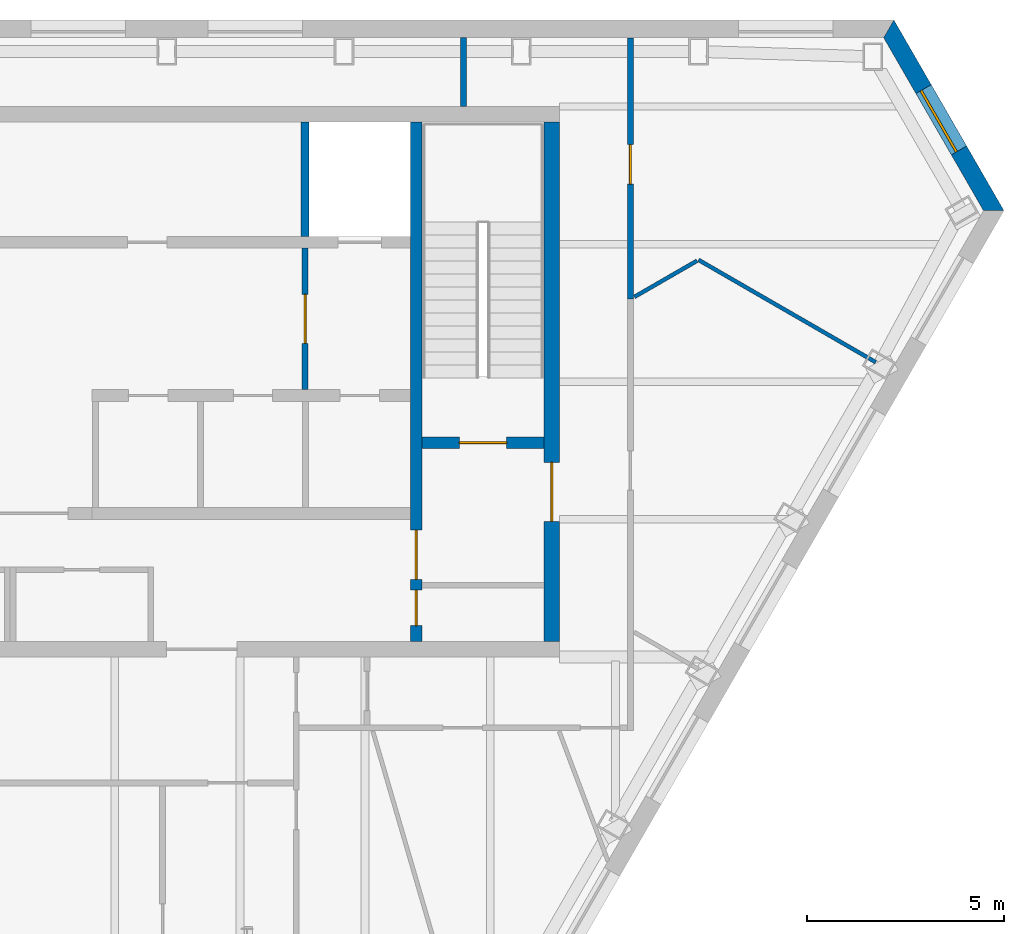
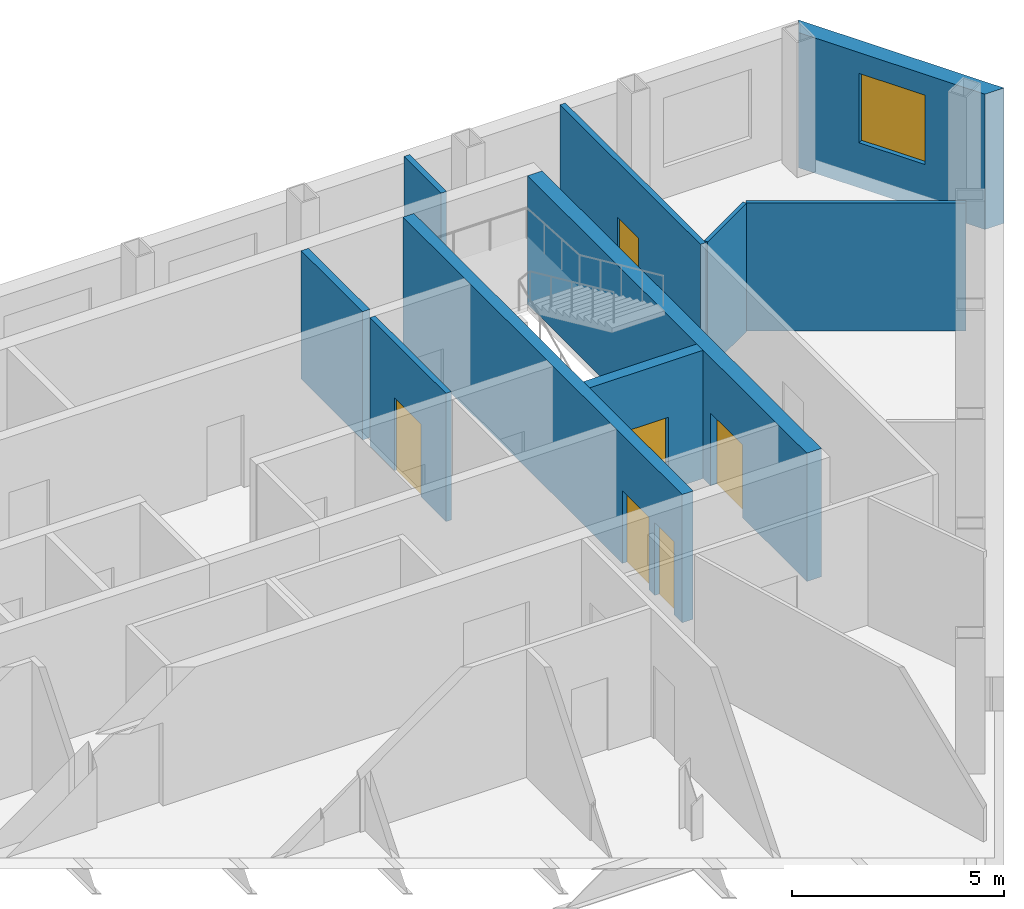
# One storey, part 7 of 10: 10 walls, 6 doors, 1 window, 7 openings.
"""IFC4 building model written with IfcOpenShell, lengths in metres."""

from ifc_helpers import new_model, si_unit, direction, frame, frame_2d, origin, place, context, subcontext, project, spatial, polyline, rectangle, outline, extrude, material, layer, layer_set, type_object, element, fill, save


model = new_model("IFC4")

# Units and contexts
model_context = context("Model", 3, precision=1e-05, world=origin(), true_north=direction((0.0, 1.0)))
body_context = subcontext(model_context, "Body", "Model", "MODEL_VIEW")
ifc_project = project(units=[si_unit("LENGTHUNIT", "METRE"), si_unit("AREAUNIT", "SQUARE_METRE"), si_unit("VOLUMEUNIT", "CUBIC_METRE"), si_unit("PLANEANGLEUNIT", "RADIAN"), si_unit("MASSUNIT", "GRAM", prefix="KILO")], contexts=[model_context])

# Site, building, storey
site_placement = place(None, origin())
site = spatial("IfcSite", under=ifc_project, at=site_placement, CompositionType="ELEMENT")
building_placement = place(site_placement, origin())
building = spatial("IfcBuilding", under=site, at=building_placement, Name="Njiva Tower", CompositionType="ELEMENT")
storey_placement = place(building_placement, frame((0.0, 0.0, 268.8)))
storey = spatial("IfcBuildingStorey", under=building, at=storey_placement, Name="L61", CompositionType="ELEMENT", Elevation=268.8)

# Wall, openings, doors
ifc_material_1 = material(Name="Concrete C40/50", Category="concrete")
ifc_layer_1 = layer(ifc_material_1, 0.3)
ifc_layer_set_1 = layer_set([ifc_layer_1], Name="Concrete C40/50")
wall_type_1 = type_object("IfcWallType", Name="WT10 Stair enclosure wall 300", PredefinedType="SHEAR", material=ifc_layer_set_1)
wall_1_placement = place(storey_placement, frame((10.85, 4.4, 0.0), z_axis=(0.0, 0.0, 1.0), x_axis=(0.0, 1.0, 0.0)))
wall_1 = element("IfcWall", 1, at=wall_1_placement, inside=storey, type_object=wall_type_1, Name="Stair wall east inner", PredefinedType="SHEAR", context=body_context, shape_type="SweptSolid", body=[
    extrude(rectangle(XDim=13.2, YDim=0.3, at=frame_2d((6.6, 0.0))), origin(), (0.0, 0.0, 1.0), 3.7),
])
opening_1_placement = place(wall_1_placement, frame((1.575, 0.0, 0.0)))
opening_1 = element("IfcOpeningElement", 2, at=opening_1_placement, cuts=wall_1, Name="Opening S20-D921", PredefinedType="OPENING", context=body_context, shape_type="SweptSolid", body=[
    extrude(rectangle(XDim=1.25, YDim=2.1, at=frame_2d((0.625, 1.05))), frame((0.0, 0.16, 0.0), z_axis=(0.0, -1.0, 0.0), x_axis=(1.0, 0.0, 0.0)), (0.0, 0.0, 1.0), 0.32),
])
opening_2_placement = place(wall_1_placement, frame((0.4, 0.0, 0.0)))
opening_2 = element("IfcOpeningElement", 3, at=opening_2_placement, cuts=wall_1, Name="Opening S20-D923", PredefinedType="OPENING", context=body_context, shape_type="SweptSolid", body=[
    extrude(rectangle(XDim=0.9, YDim=2.1, at=frame_2d((0.45, 1.05))), frame((0.0, 0.16, 0.0), z_axis=(0.0, -1.0, 0.0), x_axis=(1.0, 0.0, 0.0)), (0.0, 0.0, 1.0), 0.32),
])
ifc_material_2 = material(Name="Steel door, painted", Category="steel")
door_type_1 = type_object("IfcDoorType", Name="D13 Steel door 900x2100", OperationType="SINGLE_SWING_LEFT", PredefinedType="DOOR", material=ifc_material_2)
door_1_placement = place(opening_2_placement, origin())
door_1 = element("IfcDoor", 4, at=door_1_placement, inside=storey, type_object=door_type_1, Name="Breakout room door", OperationType="SINGLE_SWING_LEFT", OverallHeight=2.1, OverallWidth=0.9, PredefinedType="DOOR", context=body_context, shape_type="SweptSolid", body=[
    extrude(rectangle(XDim=0.9, YDim=2.1, at=frame_2d((0.45, 1.05))), frame((0.0, 0.025, 0.0), z_axis=(0.0, -1.0, 0.0), x_axis=(1.0, 0.0, 0.0)), (0.0, 0.0, 1.0), 0.05),
])
fill(opening_2, door_1)
ifc_material_3 = material(Name="Glazed steel fire door", Category="steel")
door_type_2 = type_object("IfcDoorType", Name="D8 Vestibule corridor door 1250x2100 glazed", OperationType="SINGLE_SWING_LEFT", PredefinedType="DOOR", material=ifc_material_3)
door_2_placement = place(opening_1_placement, origin())
door_2 = element("IfcDoor", 5, at=door_2_placement, inside=storey, type_object=door_type_2, Name="Stair vestibule corridor door", OperationType="SINGLE_SWING_RIGHT", OverallHeight=2.1, OverallWidth=1.25, PredefinedType="DOOR", context=body_context, shape_type="SweptSolid", body=[
    extrude(rectangle(XDim=1.25, YDim=2.1, at=frame_2d((0.625, 1.05))), frame((0.0, 0.025, 0.0), z_axis=(0.0, -1.0, 0.0), x_axis=(1.0, 0.0, 0.0)), (0.0, 0.0, 1.0), 0.05),
])
fill(opening_1, door_2)

# Wall, opening, door
wall_2_placement = place(storey_placement, frame((11.0, 9.45, 0.0), z_axis=(0.0, 0.0, 1.0), x_axis=(1.0, 0.0, 0.0)))
wall_2 = element("IfcWall", 6, at=wall_2_placement, inside=storey, type_object=wall_type_1, Name="Stair B south wall", PredefinedType="SHEAR", context=body_context, shape_type="SweptSolid", body=[
    extrude(rectangle(XDim=3.1, YDim=0.3, at=frame_2d((1.55, 0.0))), origin(), (0.0, 0.0, 1.0), 3.7),
])
opening_3_placement = place(wall_2_placement, frame((0.95, 0.0, 0.0)))
opening_3 = element("IfcOpeningElement", 7, at=opening_3_placement, cuts=wall_2, Name="Opening S20-D920", PredefinedType="OPENING", context=body_context, shape_type="SweptSolid", body=[
    extrude(rectangle(XDim=1.2, YDim=2.1, at=frame_2d((0.6, 1.05))), frame((0.0, 0.16, 0.0), z_axis=(0.0, -1.0, 0.0), x_axis=(1.0, 0.0, 0.0)), (0.0, 0.0, 1.0), 0.32),
])
door_type_3 = type_object("IfcDoorType", Name="D7 Stair vestibule door 1200x2100 glazed", OperationType="SINGLE_SWING_LEFT", PredefinedType="DOOR", material=ifc_material_3)
door_3_placement = place(opening_3_placement, origin())
door_3 = element("IfcDoor", 8, at=door_3_placement, inside=storey, type_object=door_type_3, Name="Stair B door", OperationType="SINGLE_SWING_LEFT", OverallHeight=2.1, OverallWidth=1.2, PredefinedType="DOOR", context=body_context, shape_type="SweptSolid", body=[
    extrude(rectangle(XDim=1.2, YDim=2.1, at=frame_2d((0.6, 1.05))), frame((0.0, 0.025, 0.0), z_axis=(0.0, -1.0, 0.0), x_axis=(1.0, 0.0, 0.0)), (0.0, 0.0, 1.0), 0.05),
])
fill(opening_3, door_3)

ifc_material_4 = material(Name="Concrete C60/75", Category="concrete")
ifc_layer_2 = layer(ifc_material_4, 0.4)
ifc_layer_set_2 = layer_set([ifc_layer_2], Name="Concrete C60/75")
wall_type_2 = type_object("IfcWallType", Name="WT11 Core wall 400", PredefinedType="SHEAR", material=ifc_layer_set_2)
wall_3_placement = place(storey_placement, frame((14.3, 4.4, 0.0), z_axis=(0.0, 0.0, 1.0), x_axis=(0.0, 1.0, 0.0)))
wall_3 = element("IfcWall", 9, at=wall_3_placement, inside=storey, type_object=wall_type_2, Name="Core wall east", PredefinedType="SHEAR", context=body_context, shape_type="SweptSolid", body=[
    extrude(rectangle(XDim=13.2, YDim=0.4, at=frame_2d((6.6, 0.0))), origin(), (0.0, 0.0, 1.0), 3.7),
])
opening_4_placement = place(wall_3_placement, frame((3.05, 0.0, 0.0)))
opening_4 = element("IfcOpeningElement", 10, at=opening_4_placement, cuts=wall_3, Name="Opening S20-D922", PredefinedType="OPENING", context=body_context, shape_type="SweptSolid", body=[
    extrude(rectangle(XDim=1.5, YDim=2.1, at=frame_2d((0.75, 1.05))), frame((0.0, 0.21, 0.0), z_axis=(0.0, -1.0, 0.0), x_axis=(1.0, 0.0, 0.0)), (0.0, 0.0, 1.0), 0.42),
])
door_type_4 = type_object("IfcDoorType", Name="D10 Exit door double 1500x2100 glazed", OperationType="DOUBLE_DOOR_SINGLE_SWING", PredefinedType="DOOR", material=ifc_material_3)
door_4_placement = place(opening_4_placement, origin())
door_4 = element("IfcDoor", 11, at=door_4_placement, inside=storey, type_object=door_type_4, Name="Stair B corridor door", OperationType="DOUBLE_DOOR_SINGLE_SWING", OverallHeight=2.1, OverallWidth=1.5, PredefinedType="DOOR", context=body_context, shape_type="SweptSolid", body=[
    extrude(rectangle(XDim=1.5, YDim=2.1, at=frame_2d((0.75, 1.05))), frame((0.0, 0.025, 0.0), z_axis=(0.0, -1.0, 0.0), x_axis=(1.0, 0.0, 0.0)), (0.0, 0.0, 1.0), 0.05),
])
fill(opening_4, door_4)

ifc_material_5 = material(Name="Blockwork", Category="masonry")
ifc_layer_3 = layer(ifc_material_5, 0.15)
ifc_layer_set_3 = layer_set([ifc_layer_3], Name="Blockwork")
wall_type_3 = type_object("IfcWallType", Name="WT2 Lobby partition 150", PredefinedType="PARTITIONING", material=ifc_layer_set_3)
wall_4_placement = place(storey_placement, frame((8.025, 10.8, 0.0), z_axis=(0.0, 0.0, 1.0), x_axis=(0.0, 1.0, 0.0)))
wall_4 = element("IfcWall", 12, at=wall_4_placement, inside=storey, type_object=wall_type_3, Name="Firefighting lobby wall B", PredefinedType="PARTITIONING", context=body_context, shape_type="SweptSolid", body=[
    extrude(rectangle(XDim=3.6, YDim=0.15, at=frame_2d((1.8, 0.0))), origin(), (0.0, 0.0, 1.0), 3.7),
])
opening_5_placement = place(wall_4_placement, frame((1.175, 0.0, 0.0)))
opening_5 = element("IfcOpeningElement", 13, at=opening_5_placement, cuts=wall_4, Name="Opening S20-D919", PredefinedType="OPENING", context=body_context, shape_type="SweptSolid", body=[
    extrude(rectangle(XDim=1.25, YDim=2.1, at=frame_2d((0.625, 1.05))), frame((0.0, 0.085, 0.0), z_axis=(0.0, -1.0, 0.0), x_axis=(1.0, 0.0, 0.0)), (0.0, 0.0, 1.0), 0.17),
])
door_5_placement = place(opening_5_placement, origin())
door_5 = element("IfcDoor", 14, at=door_5_placement, inside=storey, type_object=door_type_2, Name="Stair vestibule corridor door", OperationType="SINGLE_SWING_LEFT", OverallHeight=2.1, OverallWidth=1.25, PredefinedType="DOOR", context=body_context, shape_type="SweptSolid", body=[
    extrude(rectangle(XDim=1.25, YDim=2.1, at=frame_2d((0.625, 1.05))), frame((0.0, 0.025, 0.0), z_axis=(0.0, -1.0, 0.0), x_axis=(1.0, 0.0, 0.0)), (0.0, 0.0, 1.0), 0.05),
])
fill(opening_5, door_5)

# Walls
ifc_material_6 = material(Name="Gypsum board on steel studs", Category="gypsum")
ifc_layer_4 = layer(ifc_material_6, 0.1)
ifc_layer_set_4 = layer_set([ifc_layer_4], Name="Gypsum board on steel studs")
wall_type_4 = type_object("IfcWallType", Name="WT20 Gypsum partition 100", PredefinedType="PARTITIONING", material=ifc_layer_set_4)
wall_5_placement = place(storey_placement, frame((16.401, 13.158, 0.0), z_axis=(0.0, 0.0, 1.0), x_axis=(0.866194638357, 0.499706762492, 0.0)))
element("IfcWall", 15, at=wall_5_placement, inside=storey, type_object=wall_type_4, Name="Partition S20-P027", PredefinedType="PARTITIONING", context=body_context, shape_type="SweptSolid", body=[
    extrude(rectangle(XDim=1.8391, YDim=0.1, at=frame_2d((0.9196, 0.0))), origin(), (0.0, 0.0, 1.0), 3.7),
])
wall_6_placement = place(storey_placement, frame((18.032, 14.098, 0.0), z_axis=(0.0, 0.0, 1.0), x_axis=(0.8661055579, -0.499861143294, 0.0)))
element("IfcWall", 16, at=wall_6_placement, inside=storey, type_object=wall_type_4, Name="Partition S20-P028", PredefinedType="PARTITIONING", context=body_context, shape_type="SweptSolid", body=[
    extrude(rectangle(XDim=5.2014, YDim=0.1, at=frame_2d((2.6007, 0.0))), origin(), (0.0, 0.0, 1.0), 3.7),
])
ifc_layer_5 = layer(ifc_material_6, 0.15)
ifc_layer_set_5 = layer_set([ifc_layer_5], Name="Gypsum board on steel studs")
wall_type_5 = type_object("IfcWallType", Name="WT21 Compartment wall 150", PredefinedType="PARTITIONING", material=ifc_layer_set_5)
wall_7_placement = place(storey_placement, frame((12.05, 18.0, 0.0), z_axis=(0.0, 0.0, 1.0), x_axis=(0.0, 1.0, 0.0)))
element("IfcWall", 17, at=wall_7_placement, inside=storey, type_object=wall_type_5, Name="Partition S20-P022", PredefinedType="PARTITIONING", context=body_context, shape_type="SweptSolid", body=[
    extrude(rectangle(XDim=1.75, YDim=0.15, at=frame_2d((0.875, 0.0))), origin(), (0.0, 0.0, 1.0), 3.7),
])

# Wall, opening, door
wall_8_placement = place(storey_placement, frame((16.3, 19.747, 0.0), z_axis=(0.0, 0.0, 1.0), x_axis=(0.000150670482, -0.999999988649, 0.0)))
wall_8 = element("IfcWall", 18, at=wall_8_placement, inside=storey, type_object=wall_type_5, Name="Partition S20-P025", PredefinedType="PARTITIONING", context=body_context, shape_type="SweptSolid", body=[
    extrude(rectangle(XDim=6.637, YDim=0.15, at=frame_2d((3.3185, 0.0))), origin(), (0.0, 0.0, 1.0), 3.7),
])
opening_6_placement = place(wall_8_placement, frame((2.718, 0.0, 0.0)))
opening_6 = element("IfcOpeningElement", 19, at=opening_6_placement, cuts=wall_8, Name="Opening S20-D018", PredefinedType="OPENING", context=body_context, shape_type="SweptSolid", body=[
    extrude(rectangle(XDim=1.0, YDim=2.1, at=frame_2d((0.5, 1.05))), frame((0.0, 0.085, 0.0), z_axis=(0.0, -1.0, 0.0), x_axis=(1.0, 0.0, 0.0)), (0.0, 0.0, 1.0), 0.17),
])
ifc_material_7 = material(Name="Steel fire door set", Category="steel")
door_type_5 = type_object("IfcDoorType", Name="D37 Fire door 1000x2100", OperationType="SINGLE_SWING_LEFT", PredefinedType="DOOR", material=ifc_material_7)
door_6_placement = place(opening_6_placement, origin())
door_6 = element("IfcDoor", 20, at=door_6_placement, inside=storey, type_object=door_type_5, Name="Door S20-D018", OperationType="SINGLE_SWING_RIGHT", OverallHeight=2.1, OverallWidth=1.0, PredefinedType="DOOR", context=body_context, shape_type="SweptSolid", body=[
    extrude(rectangle(XDim=1.0, YDim=2.1, at=frame_2d((0.5, 1.05))), frame((0.0, 0.025, 0.0), z_axis=(0.0, -1.0, 0.0), x_axis=(1.0, 0.0, 0.0)), (0.0, 0.0, 1.0), 0.05),
])
fill(opening_6, door_6)

# Wall
ifc_layer_6 = layer(ifc_material_1, 0.2)
ifc_layer_set_6 = layer_set([ifc_layer_6], Name="Concrete C40/50")
wall_type_6 = type_object("IfcWallType", Name="WT6 Lift shaft wall 200", PredefinedType="SHEAR", material=ifc_layer_set_6)
wall_9_placement = place(storey_placement, frame((8.025, 14.7, 0.0), z_axis=(0.0, 0.0, 1.0), x_axis=(0.0, 1.0, 0.0)))
element("IfcWall", 21, at=wall_9_placement, inside=storey, type_object=wall_type_6, Name="Shaft wall CN7", PredefinedType="SHEAR", context=body_context, shape_type="SweptSolid", body=[
    extrude(rectangle(XDim=2.9, YDim=0.2, at=frame_2d((1.45, 0.0))), origin(), (0.0, 0.0, 1.0), 3.7),
])

# Wall, opening, window
ifc_material_8 = material(Name="Brick masonry, buff", Category="masonry")
ifc_layer_7 = layer(ifc_material_8, 0.45)
ifc_layer_set_7 = layer_set([ifc_layer_7], Name="Brick masonry, buff")
wall_type_7 = type_object("IfcWallType", Name="WT94 Brick pier and spandrel wall 450, buff", PredefinedType="SOLIDWALL", material=ifc_layer_set_7)
wall_10_placement = place(storey_placement, frame((25.5402, 15.3503, -0.4), z_axis=(0.0, 0.0, 1.0), x_axis=(-0.500003961967, 0.866023116329, 0.0)))
wall_10 = element("IfcWall", 22, at=wall_10_placement, inside=storey, type_object=wall_type_7, Name="Facade wall NE", PredefinedType="SOLIDWALL", context=body_context, shape_type="SweptSolid", body=[
    extrude(outline(polyline([(-0.1299, -0.225), (5.4701, -0.225), (5.2103, 0.225), (0.1299, 0.225), (-0.1299, -0.225)])), origin(), (0.0, 0.0, 1.0), 3.9),
])
opening_7_placement = place(wall_10_placement, frame((1.7701, 0.0, 1.3)))
opening_7 = element("IfcOpeningElement", 23, at=opening_7_placement, cuts=wall_10, Name="Opening S20-W29", PredefinedType="OPENING", context=body_context, shape_type="SweptSolid", body=[
    extrude(rectangle(XDim=1.8, YDim=2.0, at=frame_2d((0.9, 1.0))), frame((0.0, 0.235, 0.0), z_axis=(0.0, -1.0, 0.0), x_axis=(1.0, 0.0, 0.0)), (0.0, 0.0, 1.0), 0.47),
])
ifc_material_9 = material(Name="Clear glazing in aluminium frame", Category="aluminium")
window_type = type_object("IfcWindowType", Name="W94 Deep-set window 1800x2000", PartitioningType="SINGLE_PANEL", PredefinedType="WINDOW", material=ifc_material_9)
window_placement = place(opening_7_placement, origin())
window = element("IfcWindow", 24, at=window_placement, inside=storey, type_object=window_type, Name="Window", OverallHeight=2.0, OverallWidth=1.8, PartitioningType="SINGLE_PANEL", PredefinedType="WINDOW", context=body_context, shape_type="SweptSolid", body=[
    extrude(rectangle(XDim=1.8, YDim=2.0, at=frame_2d((0.9, 1.0))), frame((0.0, 0.105, 0.0), z_axis=(0.0, -1.0, 0.0), x_axis=(1.0, 0.0, 0.0)), (0.0, 0.0, 1.0), 0.06),
])
fill(opening_7, window)

save(model, "model.ifc")
